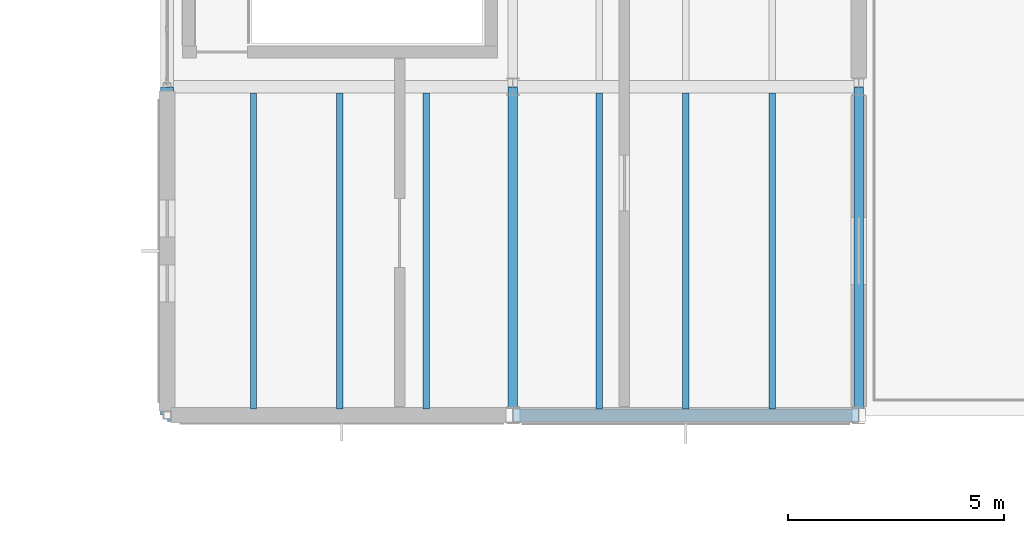
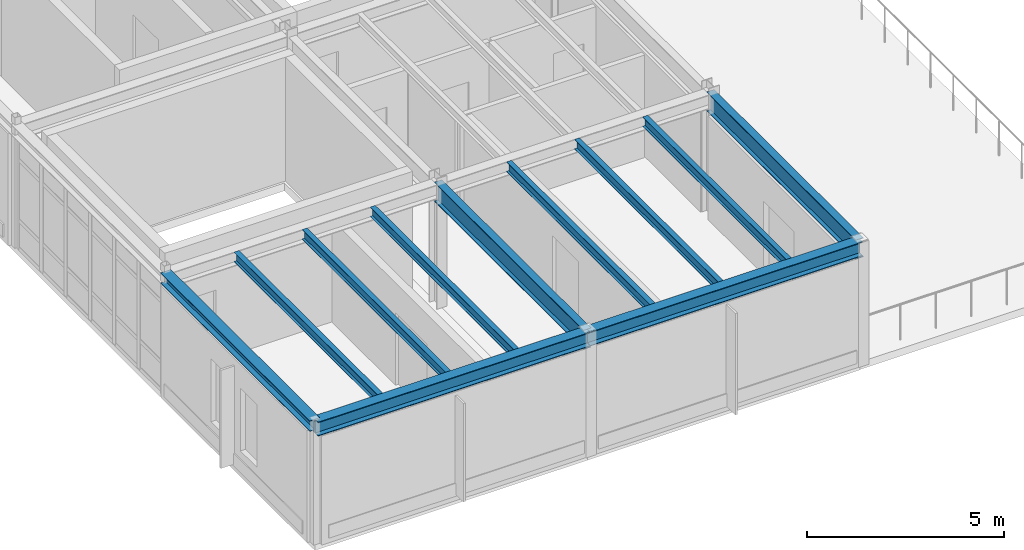
# One storey, part 38 of 65: 11 beams.
"""IFC4 building model written with IfcOpenShell, lengths in metres."""

from ifc_helpers import new_model, si_unit, direction, frame, origin, origin_2d, place, context, subcontext, project, spatial, i_section, extrude, material, material_profile, profile_set, type_object, element, save


model = new_model("IFC4")

# Units and contexts
model_context = context("Model", 3, precision=1e-05, world=origin(), true_north=direction((0.0, 1.0)))
body_context = subcontext(model_context, "Body", "Model", "MODEL_VIEW")
ifc_project = project(units=[si_unit("LENGTHUNIT", "METRE"), si_unit("AREAUNIT", "SQUARE_METRE"), si_unit("VOLUMEUNIT", "CUBIC_METRE"), si_unit("PLANEANGLEUNIT", "RADIAN"), si_unit("MASSUNIT", "GRAM", prefix="KILO")], contexts=[model_context])

# Site, building, storey
site_placement = place(None, origin())
site = spatial("IfcSite", under=ifc_project, at=site_placement, CompositionType="ELEMENT")
building_placement = place(site_placement, origin())
building = spatial("IfcBuilding", under=site, at=building_placement, Name="Montecoro Central Library", CompositionType="ELEMENT")
storey_placement = place(building_placement, frame((0.0, 0.0, 17.340087890625)))
storey = spatial("IfcBuildingStorey", under=building, at=storey_placement, Name="L04", CompositionType="ELEMENT", Elevation=17.340087890625)

# Beams
ifc_material_1 = material(Name="Steel S355J2", Category="steel")
ifc_material_profile_1 = material_profile(ifc_material_1, i_section(OverallWidth=0.300048828125, OverallDepth=0.43994140625, WebThickness=0.011474609375, FlangeThickness=0.02099609375, at=origin_2d()), Name="HEA 450")
ifc_profile_set_1 = profile_set([ifc_material_profile_1], Name="Steel S355J2")
beam_type_1 = type_object("IfcBeamType", Name="BM-G-HEA450", PredefinedType="USERDEFINED", material=ifc_profile_set_1)
for number, where, z_axis, x_axis, name in (
    (1, (141.0048828125, 96.199951171875, 3.60498046875), (1.0, 0.0, 0.0), (0.0, 1.0, 0.0), "V5-L04-BX-1819-N"),
    (2, (149.0048828125, 96.199951171875, 3.60498046875), (1.0, 0.0, 0.0), (0.0, 1.0, 0.0), "V5-L04-BX-1920-N"),
):
    element("IfcBeam", number, at=place(storey_placement, frame(where, z_axis=z_axis, x_axis=x_axis)), inside=storey, type_object=beam_type_1, Name=name, ObjectType="GIRDER", PredefinedType="USERDEFINED", context=body_context, shape_type="SweptSolid", body=[
        extrude(i_section(OverallWidth=0.300048828125, OverallDepth=0.43994140625, WebThickness=0.011474609375, FlangeThickness=0.02099609375, at=origin_2d()), origin(), (0.0, 0.0, 1.0), 7.990234375),
    ])
ifc_material_profile_2 = material_profile(ifc_material_1, i_section(OverallWidth=0.219970703125, OverallDepth=0.60009765625, WebThickness=0.011962890625, FlangeThickness=0.01904296875, at=origin_2d()), Name="IPE 600")
ifc_profile_set_2 = profile_set([ifc_material_profile_2], Name="Steel S355J2")
beam_type_2 = type_object("IfcBeamType", Name="BM-G-IPE600", PredefinedType="USERDEFINED", material=ifc_profile_set_2)
for number, where, z_axis, x_axis, name in (
    (3, (149.0, 96.205078125, 3.52490234375), (0.0, 1.0, 0.0), (-1.0, 0.0, 0.0), "V5-L04-BY-19-NP"),
    (4, (157.0, 96.205078125, 3.52490234375), (0.0, 1.0, 0.0), (-1.0, 0.0, 0.0), "V5-L04-BY-20-NP"),
):
    element("IfcBeam", number, at=place(storey_placement, frame(where, z_axis=z_axis, x_axis=x_axis)), inside=storey, type_object=beam_type_2, Name=name, ObjectType="GIRDER", PredefinedType="USERDEFINED", context=body_context, shape_type="SweptSolid", body=[
        extrude(i_section(OverallWidth=0.219970703125, OverallDepth=0.60009765625, WebThickness=0.011962890625, FlangeThickness=0.01904296875, at=origin_2d()), origin(), (0.0, 0.0, 1.0), 7.58984375),
    ])
ifc_material_2 = material(Name="Steel S355", Category="steel")
ifc_material_profile_3 = material_profile(ifc_material_2, i_section(OverallWidth=0.14990234375, OverallDepth=0.300048828125, WebThickness=0.007080078125, FlangeThickness=0.0107421875, at=origin_2d()), Name="IPE 300")
ifc_profile_set_3 = profile_set([ifc_material_profile_3], Name="Steel S355")
beam_type_3 = type_object("IfcBeamType", Name="BM-J-IPE300", PredefinedType="JOIST", material=ifc_profile_set_3)
for number, where, z_axis, x_axis, name in (
    (5, (143.0, 96.346923828125, 3.6748046875), (0.0, 1.0, 0.0), (-1.0, 0.0, 0.0), "V5-L04-JS-1819-NP-1"),
    (6, (145.0, 96.346923828125, 3.6748046875), (0.0, 1.0, 0.0), (-1.0, 0.0, 0.0), "V5-L04-JS-1819-NP-2"),
    (7, (147.0, 96.346923828125, 3.6748046875), (0.0, 1.0, 0.0), (-1.0, 0.0, 0.0), "V5-L04-JS-1819-NP-3"),
    (8, (151.0, 96.346923828125, 3.6748046875), (0.0, 1.0, 0.0), (-1.0, 0.0, 0.0), "V5-L04-JS-1920-NP-1"),
    (9, (153.0, 96.346923828125, 3.6748046875), (0.0, 1.0, 0.0), (-1.0, 0.0, 0.0), "V5-L04-JS-1920-NP-2"),
    (10, (155.0, 96.346923828125, 3.6748046875), (0.0, 1.0, 0.0), (-1.0, 0.0, 0.0), "V5-L04-JS-1920-NP-3"),
):
    element("IfcBeam", number, at=place(storey_placement, frame(where, z_axis=z_axis, x_axis=x_axis)), inside=storey, type_object=beam_type_3, Name=name, PredefinedType="JOIST", context=body_context, shape_type="SweptSolid", body=[
        extrude(i_section(OverallWidth=0.14990234375, OverallDepth=0.300048828125, WebThickness=0.007080078125, FlangeThickness=0.0107421875, at=origin_2d()), origin(), (0.0, 0.0, 1.0), 7.30615234375),
    ])
ifc_material_profile_4 = material_profile(ifc_material_2, i_section(OverallWidth=0.300048828125, OverallDepth=0.330078125, WebThickness=0.009521484375, FlangeThickness=0.0166015625, at=origin_2d()), Name="HEA 340")
ifc_profile_set_4 = profile_set([ifc_material_profile_4], Name="Steel S355")
beam_type_4 = type_object("IfcBeamType", Name="BM-SP-HEA340", PredefinedType="SPANDREL", material=ifc_profile_set_4)
beam_placement = place(storey_placement, frame((141.0, 96.205078125, 3.659912109375), z_axis=(0.0, 1.0, 0.0), x_axis=(-1.0, 0.0, 0.0)))
element("IfcBeam", 11, at=beam_placement, inside=storey, type_object=beam_type_4, Name="V5-L04-BY-18-NP", PredefinedType="SPANDREL", context=body_context, shape_type="SweptSolid", body=[
    extrude(i_section(OverallWidth=0.300048828125, OverallDepth=0.330078125, WebThickness=0.009521484375, FlangeThickness=0.0166015625, at=origin_2d()), origin(), (0.0, 0.0, 1.0), 7.58984375),
])

save(model, "model.ifc")
